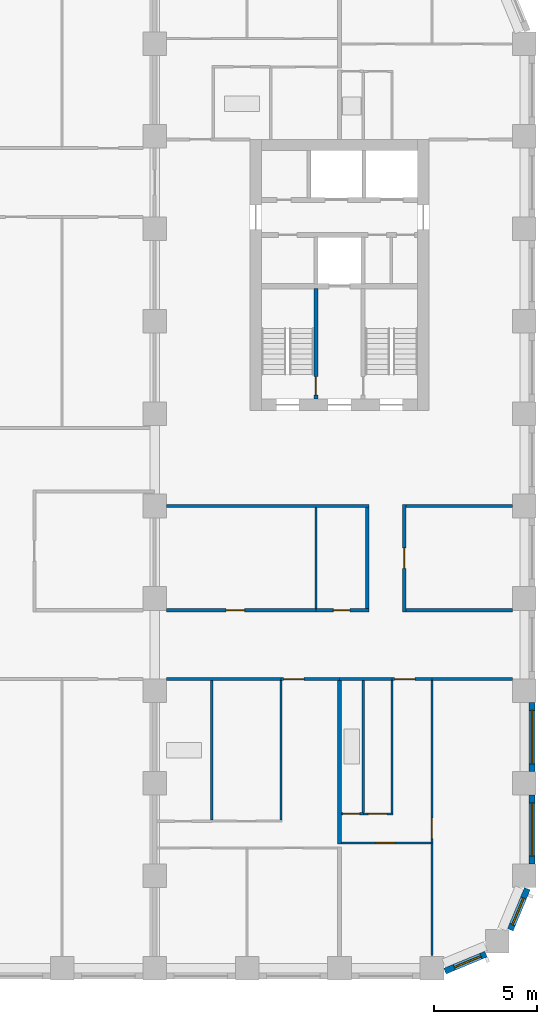
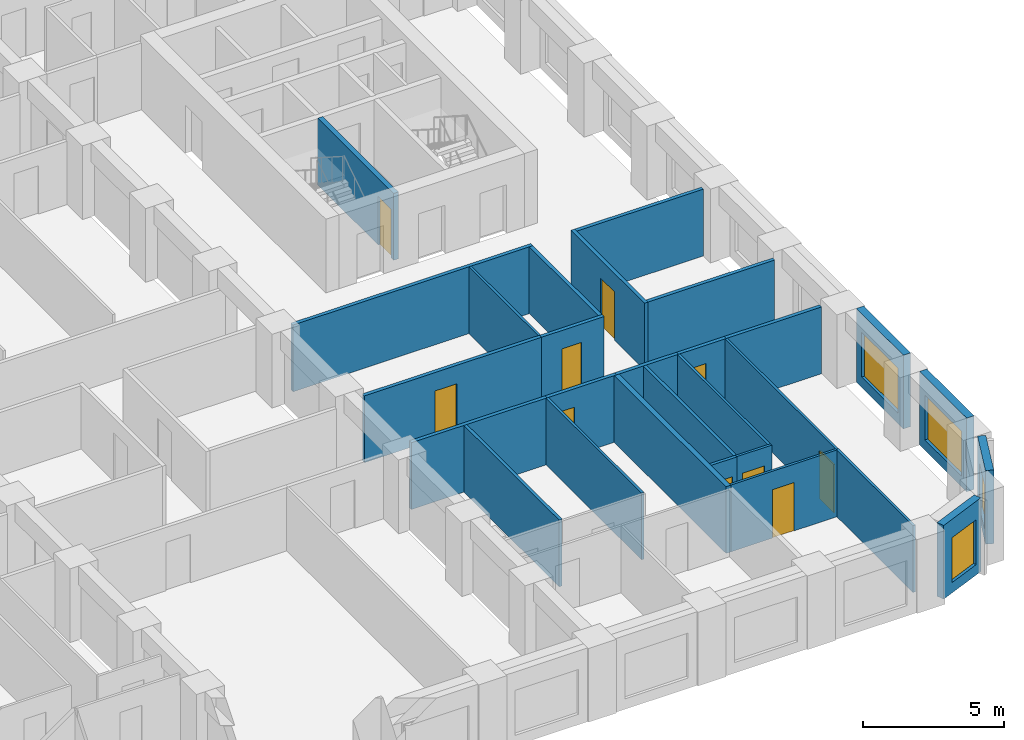
# One storey, part 5 of 13: 28 walls, 10 doors, 4 windows, 14 openings.
"""IFC4 building model written with IfcOpenShell, lengths in metres."""

from ifc_helpers import new_model, si_unit, direction, frame, frame_2d, origin, place, context, subcontext, project, spatial, rectangle, extrude, material, layer, layer_set, type_object, element, fill, save


model = new_model("IFC4")

# Units and contexts
model_context = context("Model", 3, precision=1e-05, world=origin(), true_north=direction((0.0, 1.0)))
body_context = subcontext(model_context, "Body", "Model", "MODEL_VIEW")
ifc_project = project(units=[si_unit("LENGTHUNIT", "METRE"), si_unit("AREAUNIT", "SQUARE_METRE"), si_unit("VOLUMEUNIT", "CUBIC_METRE"), si_unit("PLANEANGLEUNIT", "RADIAN"), si_unit("MASSUNIT", "GRAM", prefix="KILO")], contexts=[model_context])

# Site, building, storey
site_placement = place(None, origin())
site = spatial("IfcSite", under=ifc_project, at=site_placement, CompositionType="ELEMENT")
building_placement = place(site_placement, origin())
building = spatial("IfcBuilding", under=site, at=building_placement, Name="Girih Gate Residences", CompositionType="ELEMENT")
storey_placement = place(building_placement, frame((0.0, 0.0, 105.60009765625)))
storey = spatial("IfcBuildingStorey", under=building, at=storey_placement, Name="L29", CompositionType="ELEMENT", Elevation=105.60009765625)

# Wall
ifc_material_1 = material(Name="Gypsum board on steel studs", Category="steel")
ifc_layer_1 = layer(ifc_material_1, 0.14990234375)
ifc_layer_set_1 = layer_set([ifc_layer_1], Name="Compartment wall 150 mm")
wall_type_1 = type_object("IfcWallType", Name="Compartment wall 150 mm", PredefinedType="PARTITIONING", material=ifc_layer_set_1)
wall_1_placement = place(storey_placement, frame((40.5, 14.074951171875, 0.0), z_axis=(0.0, 0.0, 1.0), x_axis=(1.0, 0.0, 0.0)))
element("IfcWall", 1, at=wall_1_placement, inside=storey, type_object=wall_type_1, Name="L29 partition", PredefinedType="PARTITIONING", context=body_context, shape_type="SweptSolid", body=[
    extrude(rectangle(XDim=2.550048828125, YDim=0.14990234375, at=frame_2d((1.27490234375, 0.0))), origin(), (0.0, 0.0, 1.0), 2.89990234375),
])

# Wall, opening, door
wall_2_placement = place(storey_placement, frame((45.0, 14.074951171875, 0.0), z_axis=(0.0, 0.0, 1.0), x_axis=(-1.0, 0.0, 0.0)))
wall_2 = element("IfcWall", 2, at=wall_2_placement, inside=storey, type_object=wall_type_1, Name="L29 partition", PredefinedType="PARTITIONING", context=body_context, shape_type="SweptSolid", body=[
    extrude(rectangle(XDim=1.949951171875, YDim=0.14990234375, at=frame_2d((0.97509765625, 0.0))), origin(), (0.0, 0.0, 1.0), 2.89990234375),
])
opening_1_placement = place(wall_2_placement, frame((0.820068359375, 0.0, 0.0)))
opening_1 = element("IfcOpeningElement", 3, at=opening_1_placement, cuts=wall_2, Name="Opening A29-023", PredefinedType="OPENING", context=body_context, shape_type="SweptSolid", body=[
    extrude(rectangle(XDim=1.0, YDim=2.10009765625, at=frame_2d((0.5, 1.050048828125))), frame((0.0, 0.0849609375, 0.0), z_axis=(0.0, -1.0, 0.0), x_axis=(1.0, 0.0, 0.0)), (0.0, 0.0, 1.0), 0.169921875),
])
ifc_material_2 = material(Name="Timber, fire-rated core", Category="wood")
door_type_1 = type_object("IfcDoorType", Name="Flat entrance door 1000x2100 FD30S", OperationType="NOTDEFINED", PredefinedType="DOOR", material=ifc_material_2)
door_1_placement = place(opening_1_placement, origin())
door_1 = element("IfcDoor", 4, at=door_1_placement, inside=storey, type_object=door_type_1, Name="Door A29-023", OperationType="SINGLE_SWING_RIGHT", OverallHeight=2.10009765625, OverallWidth=1.0, PredefinedType="DOOR", context=body_context, shape_type="SweptSolid", body=[
    extrude(rectangle(XDim=1.0, YDim=2.10009765625, at=frame_2d((0.5, 1.050048828125))), frame((0.0, 0.02490234375, 0.0), z_axis=(0.0, -1.0, 0.0), x_axis=(1.0, 0.0, 0.0)), (0.0, 0.0, 1.0), 0.050048828125),
])
fill(opening_1, door_1)

# Walls
wall_3_placement = place(storey_placement, frame((45.0, 14.074951171875, 0.0), z_axis=(0.0, 0.0, 1.0), x_axis=(1.0, 0.0, 0.0)))
element("IfcWall", 5, at=wall_3_placement, inside=storey, type_object=wall_type_1, Name="L29 partition", PredefinedType="PARTITIONING", context=body_context, shape_type="SweptSolid", body=[
    extrude(rectangle(XDim=3.925048828125, YDim=0.14990234375, at=frame_2d((1.96240234375, 0.0))), origin(), (0.0, 0.0, 1.0), 2.89990234375),
])
wall_4_placement = place(storey_placement, frame((32.074951171875, 14.074951171875, 0.0), z_axis=(0.0, 0.0, 1.0), x_axis=(1.0, 0.0, 0.0)))
element("IfcWall", 6, at=wall_4_placement, inside=storey, type_object=wall_type_1, Name="L29 partition", PredefinedType="PARTITIONING", context=body_context, shape_type="SweptSolid", body=[
    extrude(rectangle(XDim=5.574951171875, YDim=0.14990234375, at=frame_2d((2.78759765625, 0.0))), origin(), (0.0, 0.0, 1.0), 2.89990234375),
])

# Wall, opening, door
wall_5_placement = place(storey_placement, frame((40.5, 14.074951171875, 0.0), z_axis=(0.0, 0.0, 1.0), x_axis=(-1.0, 0.0, 0.0)))
wall_5 = element("IfcWall", 7, at=wall_5_placement, inside=storey, type_object=wall_type_1, Name="L29 partition", PredefinedType="PARTITIONING", context=body_context, shape_type="SweptSolid", body=[
    extrude(rectangle(XDim=2.85009765625, YDim=0.14990234375, at=frame_2d((1.425048828125, 0.0))), origin(), (0.0, 0.0, 1.0), 2.89990234375),
])
opening_2_placement = place(wall_5_placement, frame((1.719970703125, 0.0, 0.0)))
opening_2 = element("IfcOpeningElement", 8, at=opening_2_placement, cuts=wall_5, Name="Opening A29-028", PredefinedType="OPENING", context=body_context, shape_type="SweptSolid", body=[
    extrude(rectangle(XDim=1.0, YDim=2.10009765625, at=frame_2d((0.5, 1.050048828125))), frame((0.0, 0.0849609375, 0.0), z_axis=(0.0, -1.0, 0.0), x_axis=(1.0, 0.0, 0.0)), (0.0, 0.0, 1.0), 0.169921875),
])
door_2_placement = place(opening_2_placement, origin())
door_2 = element("IfcDoor", 9, at=door_2_placement, inside=storey, type_object=door_type_1, Name="Door A29-028", OperationType="SINGLE_SWING_RIGHT", OverallHeight=2.10009765625, OverallWidth=1.0, PredefinedType="DOOR", context=body_context, shape_type="SweptSolid", body=[
    extrude(rectangle(XDim=1.0, YDim=2.10009765625, at=frame_2d((0.5, 1.050048828125))), frame((0.0, 0.02490234375, 0.0), z_axis=(0.0, -1.0, 0.0), x_axis=(1.0, 0.0, 0.0)), (0.0, 0.0, 1.0), 0.050048828125),
])
fill(opening_2, door_2)

wall_6_placement = place(storey_placement, frame((32.074951171875, 17.425048828125, 0.0), z_axis=(0.0, 0.0, 1.0), x_axis=(1.0, 0.0, 0.0)))
wall_6 = element("IfcWall", 10, at=wall_6_placement, inside=storey, type_object=wall_type_1, Name="L29 partition", PredefinedType="PARTITIONING", context=body_context, shape_type="SweptSolid", body=[
    extrude(rectangle(XDim=7.275146484375, YDim=0.14990234375, at=frame_2d((3.6376953125, 0.0))), origin(), (0.0, 0.0, 1.0), 2.89990234375),
])
opening_3_placement = place(wall_6_placement, frame((2.89990234375, 0.0, 0.0)))
opening_3 = element("IfcOpeningElement", 11, at=opening_3_placement, cuts=wall_6, Name="Opening A29-050", PredefinedType="OPENING", context=body_context, shape_type="SweptSolid", body=[
    extrude(rectangle(XDim=0.89990234375, YDim=2.10009765625, at=frame_2d((0.449951171875, 1.050048828125))), frame((0.0, 0.0849609375, 0.0), z_axis=(0.0, -1.0, 0.0), x_axis=(1.0, 0.0, 0.0)), (0.0, 0.0, 1.0), 0.169921875),
])
ifc_material_3 = material(Name="Timber", Category="wood")
door_type_2 = type_object("IfcDoorType", Name="Service room door 900x2100", OperationType="NOTDEFINED", PredefinedType="DOOR", material=ifc_material_3)
door_3_placement = place(opening_3_placement, origin())
door_3 = element("IfcDoor", 12, at=door_3_placement, inside=storey, type_object=door_type_2, Name="Door A29-050", OperationType="SINGLE_SWING_LEFT", OverallHeight=2.10009765625, OverallWidth=0.89990234375, PredefinedType="DOOR", context=body_context, shape_type="SweptSolid", body=[
    extrude(rectangle(XDim=0.89990234375, YDim=2.10009765625, at=frame_2d((0.449951171875, 1.050048828125))), frame((0.0, 0.02490234375, 0.0), z_axis=(0.0, -1.0, 0.0), x_axis=(1.0, 0.0, 0.0)), (0.0, 0.0, 1.0), 0.050048828125),
])
fill(opening_3, door_3)

wall_7_placement = place(storey_placement, frame((39.35009765625, 17.425048828125, 0.0), z_axis=(0.0, 0.0, 1.0), x_axis=(1.0, 0.0, 0.0)))
wall_7 = element("IfcWall", 13, at=wall_7_placement, inside=storey, type_object=wall_type_1, Name="L29 partition", PredefinedType="PARTITIONING", context=body_context, shape_type="SweptSolid", body=[
    extrude(rectangle(XDim=2.574951171875, YDim=0.14990234375, at=frame_2d((1.28759765625, 0.0))), origin(), (0.0, 0.0, 1.0), 2.89990234375),
])
opening_4_placement = place(wall_7_placement, frame((0.85009765625, 0.0, 0.0)))
opening_4 = element("IfcOpeningElement", 14, at=opening_4_placement, cuts=wall_7, Name="Opening A29-052", PredefinedType="OPENING", context=body_context, shape_type="SweptSolid", body=[
    extrude(rectangle(XDim=0.800048828125, YDim=2.10009765625, at=frame_2d((0.39990234375, 1.050048828125))), frame((0.0, 0.0849609375, 0.0), z_axis=(0.0, -1.0, 0.0), x_axis=(1.0, 0.0, 0.0)), (0.0, 0.0, 1.0), 0.169921875),
])
door_type_3 = type_object("IfcDoorType", Name="Bathroom door 800x2100", OperationType="NOTDEFINED", PredefinedType="DOOR", material=ifc_material_3)
door_4_placement = place(opening_4_placement, origin())
door_4 = element("IfcDoor", 15, at=door_4_placement, inside=storey, type_object=door_type_3, Name="Door A29-052", OperationType="SINGLE_SWING_LEFT", OverallHeight=2.10009765625, OverallWidth=0.800048828125, PredefinedType="DOOR", context=body_context, shape_type="SweptSolid", body=[
    extrude(rectangle(XDim=0.800048828125, YDim=2.10009765625, at=frame_2d((0.39990234375, 1.050048828125))), frame((0.0, 0.02490234375, 0.0), z_axis=(0.0, -1.0, 0.0), x_axis=(1.0, 0.0, 0.0)), (0.0, 0.0, 1.0), 0.050048828125),
])
fill(opening_4, door_4)

# Walls
wall_8_placement = place(storey_placement, frame((43.72509765625, 17.425048828125, 0.0), z_axis=(0.0, 0.0, 1.0), x_axis=(1.0, 0.0, 0.0)))
element("IfcWall", 16, at=wall_8_placement, inside=storey, type_object=wall_type_1, Name="L29 partition", PredefinedType="PARTITIONING", context=body_context, shape_type="SweptSolid", body=[
    extrude(rectangle(XDim=5.199951171875, YDim=0.14990234375, at=frame_2d((2.60009765625, 0.0))), origin(), (0.0, 0.0, 1.0), 2.89990234375),
])
wall_9_placement = place(storey_placement, frame((32.074951171875, 22.5, 0.0), z_axis=(0.0, 0.0, 1.0), x_axis=(1.0, 0.0, 0.0)))
element("IfcWall", 17, at=wall_9_placement, inside=storey, type_object=wall_type_1, Name="L29 partition", PredefinedType="PARTITIONING", context=body_context, shape_type="SweptSolid", body=[
    extrude(rectangle(XDim=9.85009765625, YDim=0.14990234375, at=frame_2d((4.925048828125, 0.0))), origin(), (0.0, 0.0, 1.0), 2.89990234375),
])
wall_10_placement = place(storey_placement, frame((43.72509765625, 22.5, 0.0), z_axis=(0.0, 0.0, 1.0), x_axis=(1.0, 0.0, 0.0)))
element("IfcWall", 18, at=wall_10_placement, inside=storey, type_object=wall_type_1, Name="L29 partition", PredefinedType="PARTITIONING", context=body_context, shape_type="SweptSolid", body=[
    extrude(rectangle(XDim=5.199951171875, YDim=0.14990234375, at=frame_2d((2.60009765625, 0.0))), origin(), (0.0, 0.0, 1.0), 2.89990234375),
])
wall_11_placement = place(storey_placement, frame((41.85009765625, 17.5, 0.0), z_axis=(0.0, 0.0, 1.0), x_axis=(0.0, 1.0, 0.0)))
element("IfcWall", 19, at=wall_11_placement, inside=storey, type_object=wall_type_1, Name="L29 partition", PredefinedType="PARTITIONING", context=body_context, shape_type="SweptSolid", body=[
    extrude(rectangle(XDim=4.925048828125, YDim=0.14990234375, at=frame_2d((2.46240234375, 0.0))), origin(), (0.0, 0.0, 1.0), 2.89990234375),
])

# Wall, opening, door
wall_12_placement = place(storey_placement, frame((43.64990234375, 22.574951171875, 0.0), z_axis=(0.0, 0.0, 1.0), x_axis=(0.0, -1.0, 0.0)))
wall_12 = element("IfcWall", 20, at=wall_12_placement, inside=storey, type_object=wall_type_1, Name="L29 partition", PredefinedType="PARTITIONING", context=body_context, shape_type="SweptSolid", body=[
    extrude(rectangle(XDim=5.224853515625, YDim=0.14990234375, at=frame_2d((2.6123046875, 0.0))), origin(), (0.0, 0.0, 1.0), 2.89990234375),
])
opening_5_placement = place(wall_12_placement, frame((2.112548828125, 0.0, 0.0)))
opening_5 = element("IfcOpeningElement", 21, at=opening_5_placement, cuts=wall_12, Name="Opening A29-054", PredefinedType="OPENING", context=body_context, shape_type="SweptSolid", body=[
    extrude(rectangle(XDim=1.0, YDim=2.10009765625, at=frame_2d((0.5, 1.050048828125))), frame((0.0, 0.0849609375, 0.0), z_axis=(0.0, -1.0, 0.0), x_axis=(1.0, 0.0, 0.0)), (0.0, 0.0, 1.0), 0.169921875),
])
door_type_4 = type_object("IfcDoorType", Name="Amenity room door 1000x2100 FD30S", OperationType="NOTDEFINED", PredefinedType="DOOR", material=ifc_material_2)
door_5_placement = place(opening_5_placement, origin())
door_5 = element("IfcDoor", 22, at=door_5_placement, inside=storey, type_object=door_type_4, Name="Door A29-054", OperationType="SINGLE_SWING_RIGHT", OverallHeight=2.10009765625, OverallWidth=1.0, PredefinedType="DOOR", context=body_context, shape_type="SweptSolid", body=[
    extrude(rectangle(XDim=1.0, YDim=2.10009765625, at=frame_2d((0.5, 1.050048828125))), frame((0.0, 0.02490234375, 0.0), z_axis=(0.0, -1.0, 0.0), x_axis=(1.0, 0.0, 0.0)), (0.0, 0.0, 1.0), 0.050048828125),
])
fill(opening_5, door_5)

ifc_layer_2 = layer(ifc_material_1, 0.10009765625)
ifc_layer_set_2 = layer_set([ifc_layer_2], Name="Partition 100 mm")
wall_type_2 = type_object("IfcWallType", Name="Partition 100 mm", PredefinedType="PARTITIONING", material=ifc_layer_set_2)
wall_13_placement = place(storey_placement, frame((44.949951171875, 6.094970703125, 0.0), z_axis=(0.0, 0.0, 1.0), x_axis=(-1.0, 0.0, 0.0)))
wall_13 = element("IfcWall", 23, at=wall_13_placement, inside=storey, type_object=wall_type_2, Name="L29 partition", PredefinedType="PARTITIONING", context=body_context, shape_type="SweptSolid", body=[
    extrude(rectangle(XDim=4.349853515625, YDim=0.10009765625, at=frame_2d((2.1748046875, 0.0))), origin(), (0.0, 0.0, 1.0), 2.89990234375),
])
opening_6_placement = place(wall_13_placement, frame((1.75, 0.0, 0.0)))
opening_6 = element("IfcOpeningElement", 24, at=opening_6_placement, cuts=wall_13, Name="Opening A29-020", PredefinedType="OPENING", context=body_context, shape_type="SweptSolid", body=[
    extrude(rectangle(XDim=0.89990234375, YDim=2.10009765625, at=frame_2d((0.449951171875, 1.050048828125))), frame((0.0, 0.06005859375, 0.0), z_axis=(0.0, -1.0, 0.0), x_axis=(1.0, 0.0, 0.0)), (0.0, 0.0, 1.0), 0.1201171875),
])
door_type_5 = type_object("IfcDoorType", Name="Bedroom door 900x2100", OperationType="NOTDEFINED", PredefinedType="DOOR", material=ifc_material_3)
door_6_placement = place(opening_6_placement, origin())
door_6 = element("IfcDoor", 25, at=door_6_placement, inside=storey, type_object=door_type_5, Name="Door A29-020", OperationType="SINGLE_SWING_RIGHT", OverallHeight=2.10009765625, OverallWidth=0.89990234375, PredefinedType="DOOR", context=body_context, shape_type="SweptSolid", body=[
    extrude(rectangle(XDim=0.89990234375, YDim=2.10009765625, at=frame_2d((0.449951171875, 1.050048828125))), frame((0.0, 0.02490234375, 0.0), z_axis=(0.0, -1.0, 0.0), x_axis=(1.0, 0.0, 0.0)), (0.0, 0.0, 1.0), 0.050048828125),
])
fill(opening_6, door_6)

# Wall
wall_14_placement = place(storey_placement, frame((45.0, 0.622314453125, 0.0), z_axis=(0.0, 0.0, 1.0), x_axis=(0.0, 1.0, 0.0)))
element("IfcWall", 26, at=wall_14_placement, inside=storey, type_object=wall_type_2, Name="L29 partition", PredefinedType="PARTITIONING", context=body_context, shape_type="SweptSolid", body=[
    extrude(rectangle(XDim=5.47265625, YDim=0.10009765625, at=frame_2d((2.736328125, 0.0))), origin(), (0.0, 0.0, 1.0), 2.89990234375),
])

# Wall, opening, door
wall_15_placement = place(storey_placement, frame((41.6591796875, 7.514892578125, 0.0), z_axis=(0.0, 0.0, 1.0), x_axis=(1.0, 0.0, 0.0)))
wall_15 = element("IfcWall", 27, at=wall_15_placement, inside=storey, type_object=wall_type_2, Name="L29 partition", PredefinedType="PARTITIONING", context=body_context, shape_type="SweptSolid", body=[
    extrude(rectangle(XDim=1.44091796875, YDim=0.10009765625, at=frame_2d((0.720458984375, 0.0))), origin(), (0.0, 0.0, 1.0), 2.89990234375),
])
opening_7_placement = place(wall_15_placement, frame((0.24560546875, 0.0, 0.0)))
opening_7 = element("IfcOpeningElement", 28, at=opening_7_placement, cuts=wall_15, Name="Opening A29-021", PredefinedType="OPENING", context=body_context, shape_type="SweptSolid", body=[
    extrude(rectangle(XDim=0.89990234375, YDim=2.10009765625, at=frame_2d((0.449951171875, 1.050048828125))), frame((0.0, 0.06005859375, 0.0), z_axis=(0.0, -1.0, 0.0), x_axis=(1.0, 0.0, 0.0)), (0.0, 0.0, 1.0), 0.1201171875),
])
door_type_6 = type_object("IfcDoorType", Name="Kitchen door 900x2100", OperationType="NOTDEFINED", PredefinedType="DOOR", material=ifc_material_3)
door_7_placement = place(opening_7_placement, origin())
door_7 = element("IfcDoor", 29, at=door_7_placement, inside=storey, type_object=door_type_6, Name="Door A29-021", OperationType="SINGLE_SWING_LEFT", OverallHeight=2.10009765625, OverallWidth=0.89990234375, PredefinedType="DOOR", context=body_context, shape_type="SweptSolid", body=[
    extrude(rectangle(XDim=0.89990234375, YDim=2.10009765625, at=frame_2d((0.449951171875, 1.050048828125))), frame((0.0, 0.02490234375, 0.0), z_axis=(0.0, -1.0, 0.0), x_axis=(1.0, 0.0, 0.0)), (0.0, 0.0, 1.0), 0.050048828125),
])
fill(opening_7, door_7)

# Wall
wall_16_placement = place(storey_placement, frame((43.050048828125, 7.56494140625, 0.0), z_axis=(0.0, 0.0, 1.0), x_axis=(0.0, 1.0, 0.0)))
element("IfcWall", 30, at=wall_16_placement, inside=storey, type_object=wall_type_2, Name="L29 partition", PredefinedType="PARTITIONING", context=body_context, shape_type="SweptSolid", body=[
    extrude(rectangle(XDim=6.43505859375, YDim=0.10009765625, at=frame_2d((3.217529296875, 0.0))), origin(), (0.0, 0.0, 1.0), 2.89990234375),
])

# Wall, opening, door
wall_17_placement = place(storey_placement, frame((45.0, 14.0, 0.0), z_axis=(0.0, 0.0, 1.0), x_axis=(0.0, -1.0, 0.0)))
wall_17 = element("IfcWall", 31, at=wall_17_placement, inside=storey, type_object=wall_type_2, Name="L29 partition", PredefinedType="PARTITIONING", context=body_context, shape_type="SweptSolid", body=[
    extrude(rectangle(XDim=7.905029296875, YDim=0.10009765625, at=frame_2d((3.95263671875, 0.0))), origin(), (0.0, 0.0, 1.0), 2.89990234375),
])
opening_8_placement = place(wall_17_placement, frame((6.695068359375, 0.0, 0.0)))
opening_8 = element("IfcOpeningElement", 32, at=opening_8_placement, cuts=wall_17, Name="Opening A29-022", PredefinedType="OPENING", context=body_context, shape_type="SweptSolid", body=[
    extrude(rectangle(XDim=1.0, YDim=2.10009765625, at=frame_2d((0.5, 1.050048828125))), frame((0.0, 0.06005859375, 0.0), z_axis=(0.0, -1.0, 0.0), x_axis=(1.0, 0.0, 0.0)), (0.0, 0.0, 1.0), 0.1201171875),
])
door_type_7 = type_object("IfcDoorType", Name="Living room door 1000x2100", OperationType="NOTDEFINED", PredefinedType="DOOR", material=ifc_material_3)
door_8_placement = place(opening_8_placement, origin())
door_8 = element("IfcDoor", 33, at=door_8_placement, inside=storey, type_object=door_type_7, Name="Door A29-022", OperationType="SINGLE_SWING_RIGHT", OverallHeight=2.10009765625, OverallWidth=1.0, PredefinedType="DOOR", context=body_context, shape_type="SweptSolid", body=[
    extrude(rectangle(XDim=1.0, YDim=2.10009765625, at=frame_2d((0.5, 1.050048828125))), frame((0.0, 0.02490234375, 0.0), z_axis=(0.0, -1.0, 0.0), x_axis=(1.0, 0.0, 0.0)), (0.0, 0.0, 1.0), 0.050048828125),
])
fill(opening_8, door_8)

# Walls
wall_18_placement = place(storey_placement, frame((37.64990234375, 7.205078125, 0.0), z_axis=(0.0, 0.0, 1.0), x_axis=(0.0, 1.0, 0.0)))
element("IfcWall", 34, at=wall_18_placement, inside=storey, type_object=wall_type_2, Name="L29 partition", PredefinedType="PARTITIONING", context=body_context, shape_type="SweptSolid", body=[
    extrude(rectangle(XDim=6.794921875, YDim=0.10009765625, at=frame_2d((3.3974609375, 0.0))), origin(), (0.0, 0.0, 1.0), 2.89990234375),
])
wall_19_placement = place(storey_placement, frame((39.35009765625, 17.5, 0.0), z_axis=(0.0, 0.0, 1.0), x_axis=(0.0, 1.0, 0.0)))
element("IfcWall", 35, at=wall_19_placement, inside=storey, type_object=wall_type_2, Name="L29 partition", PredefinedType="PARTITIONING", context=body_context, shape_type="SweptSolid", body=[
    extrude(rectangle(XDim=4.925048828125, YDim=0.10009765625, at=frame_2d((2.46240234375, 0.0))), origin(), (0.0, 0.0, 1.0), 2.89990234375),
])
ifc_layer_3 = layer(ifc_material_1, 0.199951171875)
ifc_layer_set_3 = layer_set([ifc_layer_3], Name="Party wall 200 mm")
wall_type_3 = type_object("IfcWallType", Name="Party wall 200 mm", PredefinedType="PARTITIONING", material=ifc_layer_set_3)
wall_20_placement = place(storey_placement, frame((40.5, 6.044921875, 0.0), z_axis=(0.0, 0.0, 1.0), x_axis=(0.0, 1.0, 0.0)))
element("IfcWall", 36, at=wall_20_placement, inside=storey, type_object=wall_type_3, Name="L29 partition", PredefinedType="PARTITIONING", context=body_context, shape_type="SweptSolid", body=[
    extrude(rectangle(XDim=7.955078125, YDim=0.199951171875, at=frame_2d((3.9775390625, 0.0))), origin(), (0.0, 0.0, 1.0), 2.89990234375),
])

# Wall, opening, window
ifc_material_4 = material(Name="Precast concrete C50/60", Category="concrete")
ifc_layer_4 = layer(ifc_material_4, 0.080078125, Name="Outer leaf")
ifc_material_5 = material(Name="Rigid PIR insulation")
ifc_layer_5 = layer(ifc_material_5, 0.14990234375, Name="Insulation")
ifc_material_6 = material(Name="Precast concrete C40/50", Category="concrete")
ifc_layer_6 = layer(ifc_material_6, 0.070068359375, Name="Inner leaf")
ifc_layer_set_4 = layer_set([ifc_layer_4, ifc_layer_5, ifc_layer_6], Name="Precast concrete C50/60 external wall 300")
wall_type_4 = type_object("IfcWallType", Name="Precast concrete C50/60 external wall 300", PredefinedType="SOLIDWALL", material=ifc_layer_set_4)
wall_21_placement = place(storey_placement, frame((47.63134765625, 0.68408203125, 0.0), z_axis=(0.0, 0.0, 1.0), x_axis=(-0.923862802911, -0.382723818695, 0.0)))
wall_21 = element("IfcWall", 37, at=wall_21_placement, inside=storey, type_object=wall_type_4, Name="External wall SE0450_0000.0", PredefinedType="SOLIDWALL", context=body_context, shape_type="SweptSolid", body=[
    extrude(rectangle(XDim=2.163818359375, YDim=0.300048828125, at=frame_2d((1.08203125, 0.0))), origin(), (0.0, 0.0, 1.0), 3.199951171875),
])
opening_9_placement = place(wall_21_placement, frame((0.270751953125, 0.0, 0.449951171875)))
opening_9 = element("IfcOpeningElement", 38, at=opening_9_placement, cuts=wall_21, Name="Opening W-2D", PredefinedType="OPENING", context=body_context, shape_type="SweptSolid", body=[
    extrude(rectangle(XDim=1.39990234375, YDim=1.949951171875, at=frame_2d((0.699951171875, 0.97509765625))), frame((0.0, 0.159912109375, 0.0), z_axis=(0.0, -1.0, 0.0), x_axis=(1.0, 0.0, 0.0)), (0.0, 0.0, 1.0), 0.320068359375),
])
ifc_material_7 = material(Name="Double glazing in aluminium frame", Category="aluminium")
window_type_1 = type_object("IfcWindowType", Name="Window W-2D 1400x1950", PartitioningType="SINGLE_PANEL", PredefinedType="WINDOW", material=ifc_material_7)
window_1_placement = place(opening_9_placement, origin())
window_1 = element("IfcWindow", 39, at=window_1_placement, inside=storey, type_object=window_type_1, Name="Window W-2D SE0450_0000.0", OverallHeight=1.949951171875, OverallWidth=1.39990234375, PartitioningType="SINGLE_PANEL", PredefinedType="WINDOW", context=body_context, shape_type="SweptSolid", body=[
    extrude(rectangle(XDim=1.39990234375, YDim=1.949951171875, at=frame_2d((0.699951171875, 0.97509765625))), frame((0.0, 0.030029296875, 0.0), z_axis=(0.0, -1.0, 0.0), x_axis=(1.0, 0.0, 0.0)), (0.0, 0.0, 1.0), 0.06005859375),
])
fill(opening_9, window_1)

wall_22_placement = place(storey_placement, frame((49.64404296875, 3.86767578125, 0.0), z_axis=(0.0, 0.0, 1.0), x_axis=(-0.382723818695, -0.923862802911, 0.0)))
wall_22 = element("IfcWall", 40, at=wall_22_placement, inside=storey, type_object=wall_type_4, Name="External wall SE0482_0013.0", PredefinedType="SOLIDWALL", context=body_context, shape_type="SweptSolid", body=[
    extrude(rectangle(XDim=2.163818359375, YDim=0.300048828125, at=frame_2d((1.08203125, 0.0))), origin(), (0.0, 0.0, 1.0), 3.199951171875),
])
opening_10_placement = place(wall_22_placement, frame((0.492919921875, 0.0, 0.449951171875)))
opening_10 = element("IfcOpeningElement", 41, at=opening_10_placement, cuts=wall_22, Name="Opening W-2D", PredefinedType="OPENING", context=body_context, shape_type="SweptSolid", body=[
    extrude(rectangle(XDim=1.39990234375, YDim=1.949951171875, at=frame_2d((0.699951171875, 0.97509765625))), frame((0.0, 0.159912109375, 0.0), z_axis=(0.0, -1.0, 0.0), x_axis=(1.0, 0.0, 0.0)), (0.0, 0.0, 1.0), 0.320068359375),
])
window_2_placement = place(opening_10_placement, origin())
window_2 = element("IfcWindow", 42, at=window_2_placement, inside=storey, type_object=window_type_1, Name="Window W-2D SE0482_0013.0", OverallHeight=1.949951171875, OverallWidth=1.39990234375, PartitioningType="SINGLE_PANEL", PredefinedType="WINDOW", context=body_context, shape_type="SweptSolid", body=[
    extrude(rectangle(XDim=1.39990234375, YDim=1.949951171875, at=frame_2d((0.699951171875, 0.97509765625))), frame((0.0, 0.030029296875, 0.0), z_axis=(0.0, -1.0, 0.0), x_axis=(1.0, 0.0, 0.0)), (0.0, 0.0, 1.0), 0.06005859375),
])
fill(opening_10, window_2)

wall_23_placement = place(storey_placement, frame((49.875, 8.425048828125, 0.0), z_axis=(0.0, 0.0, 1.0), x_axis=(0.0, -1.0, 0.0)))
wall_23 = element("IfcWall", 43, at=wall_23_placement, inside=storey, type_object=wall_type_4, Name="External wall E0495_0045.0", PredefinedType="SOLIDWALL", context=body_context, shape_type="SweptSolid", body=[
    extrude(rectangle(XDim=3.35009765625, YDim=0.300048828125, at=frame_2d((1.675048828125, 0.0))), origin(), (0.0, 0.0, 1.0), 3.199951171875),
])
opening_11_placement = place(wall_23_placement, frame((0.375, 0.0, 0.449951171875)))
opening_11 = element("IfcOpeningElement", 44, at=opening_11_placement, cuts=wall_23, Name="Opening W-1A", PredefinedType="OPENING", context=body_context, shape_type="SweptSolid", body=[
    extrude(rectangle(XDim=2.60009765625, YDim=1.949951171875, at=frame_2d((1.300048828125, 0.97509765625))), frame((0.0, 0.159912109375, 0.0), z_axis=(0.0, -1.0, 0.0), x_axis=(1.0, 0.0, 0.0)), (0.0, 0.0, 1.0), 0.320068359375),
])
window_type_2 = type_object("IfcWindowType", Name="Window W-1A 2600x1950", PartitioningType="SINGLE_PANEL", PredefinedType="WINDOW", material=ifc_material_7)
window_3_placement = place(opening_11_placement, origin())
window_3 = element("IfcWindow", 45, at=window_3_placement, inside=storey, type_object=window_type_2, Name="Window W-1A E0495_0045.0", OverallHeight=1.949951171875, OverallWidth=2.60009765625, PartitioningType="SINGLE_PANEL", PredefinedType="WINDOW", context=body_context, shape_type="SweptSolid", body=[
    extrude(rectangle(XDim=2.60009765625, YDim=1.949951171875, at=frame_2d((1.300048828125, 0.97509765625))), frame((0.0, 0.030029296875, 0.0), z_axis=(0.0, -1.0, 0.0), x_axis=(1.0, 0.0, 0.0)), (0.0, 0.0, 1.0), 0.06005859375),
])
fill(opening_11, window_3)

wall_24_placement = place(storey_placement, frame((49.875, 12.925048828125, 0.0), z_axis=(0.0, 0.0, 1.0), x_axis=(0.0, -1.0, 0.0)))
wall_24 = element("IfcWall", 46, at=wall_24_placement, inside=storey, type_object=wall_type_4, Name="External wall E0495_0045.1", PredefinedType="SOLIDWALL", context=body_context, shape_type="SweptSolid", body=[
    extrude(rectangle(XDim=3.35009765625, YDim=0.300048828125, at=frame_2d((1.675048828125, 0.0))), origin(), (0.0, 0.0, 1.0), 3.199951171875),
])
opening_12_placement = place(wall_24_placement, frame((0.375, 0.0, 0.449951171875)))
opening_12 = element("IfcOpeningElement", 47, at=opening_12_placement, cuts=wall_24, Name="Opening W-1A", PredefinedType="OPENING", context=body_context, shape_type="SweptSolid", body=[
    extrude(rectangle(XDim=2.60009765625, YDim=1.949951171875, at=frame_2d((1.300048828125, 0.97509765625))), frame((0.0, 0.159912109375, 0.0), z_axis=(0.0, -1.0, 0.0), x_axis=(1.0, 0.0, 0.0)), (0.0, 0.0, 1.0), 0.320068359375),
])
window_4_placement = place(opening_12_placement, origin())
window_4 = element("IfcWindow", 48, at=window_4_placement, inside=storey, type_object=window_type_2, Name="Window W-1A E0495_0045.1", OverallHeight=1.949951171875, OverallWidth=2.60009765625, PartitioningType="SINGLE_PANEL", PredefinedType="WINDOW", context=body_context, shape_type="SweptSolid", body=[
    extrude(rectangle(XDim=2.60009765625, YDim=1.949951171875, at=frame_2d((1.300048828125, 0.97509765625))), frame((0.0, 0.030029296875, 0.0), z_axis=(0.0, -1.0, 0.0), x_axis=(1.0, 0.0, 0.0)), (0.0, 0.0, 1.0), 0.06005859375),
])
fill(opening_12, window_4)

# Wall, opening, door
ifc_material_8 = material(Name="Concrete C40/50", Category="concrete")
ifc_layer_7 = layer(ifc_material_8, 0.199951171875)
ifc_layer_set_5 = layer_set([ifc_layer_7], Name="Shaft wall 200")
wall_type_5 = type_object("IfcWallType", Name="Shaft wall 200", PredefinedType="SOLIDWALL", material=ifc_layer_set_5)
wall_25_placement = place(storey_placement, frame((39.35009765625, 27.699951171875, 0.0), z_axis=(0.0, 0.0, 1.0), x_axis=(0.0, 1.0, 0.0)))
wall_25 = element("IfcWall", 49, at=wall_25_placement, inside=storey, type_object=wall_type_5, Name="L29 E core wall V2a", PredefinedType="SOLIDWALL", context=body_context, shape_type="SweptSolid", body=[
    extrude(rectangle(XDim=5.400146484375, YDim=0.199951171875, at=frame_2d((2.7001953125, 0.0))), origin(), (0.0, 0.0, 1.0), 2.89990234375),
])
opening_13_placement = place(wall_25_placement, frame((0.199951171875, 0.0, 0.0)))
opening_13 = element("IfcOpeningElement", 50, at=opening_13_placement, cuts=wall_25, Name="Opening D-L29-E-002", PredefinedType="OPENING", context=body_context, shape_type="SweptSolid", body=[
    extrude(rectangle(XDim=0.89990234375, YDim=2.10009765625, at=frame_2d((0.449951171875, 1.050048828125))), frame((0.0, 0.10986328125, 0.0), z_axis=(0.0, -1.0, 0.0), x_axis=(1.0, 0.0, 0.0)), (0.0, 0.0, 1.0), 0.219970703125),
])
ifc_material_9 = material(Name="Painted steel, fire-resisting", Category="steel")
door_type_8 = type_object("IfcDoorType", Name="Fire door 900x2100", OperationType="SINGLE_SWING_LEFT", PredefinedType="DOOR", material=ifc_material_9)
door_9_placement = place(opening_13_placement, origin())
door_9 = element("IfcDoor", 51, at=door_9_placement, inside=storey, type_object=door_type_8, Name="L29 E door stair 2 to firefighting lobby", OperationType="SINGLE_SWING_LEFT", OverallHeight=2.10009765625, OverallWidth=0.89990234375, PredefinedType="DOOR", context=body_context, shape_type="SweptSolid", body=[
    extrude(rectangle(XDim=0.89990234375, YDim=2.10009765625, at=frame_2d((0.449951171875, 1.050048828125))), frame((0.0, 0.02490234375, 0.0), z_axis=(0.0, -1.0, 0.0), x_axis=(1.0, 0.0, 0.0)), (0.0, 0.0, 1.0), 0.050048828125),
])
fill(opening_13, door_9)

ifc_layer_8 = layer(ifc_material_1, 0.125)
ifc_layer_set_6 = layer_set([ifc_layer_8], Name="Wet room wall 125 mm")
wall_type_6 = type_object("IfcWallType", Name="Wet room wall 125 mm", PredefinedType="PARTITIONING", material=ifc_layer_set_6)
wall_26_placement = place(storey_placement, frame((40.60009765625, 7.514892578125, 0.0), z_axis=(0.0, 0.0, 1.0), x_axis=(1.0, 0.0, 0.0)))
wall_26 = element("IfcWall", 52, at=wall_26_placement, inside=storey, type_object=wall_type_6, Name="L29 partition", PredefinedType="PARTITIONING", context=body_context, shape_type="SweptSolid", body=[
    extrude(rectangle(XDim=1.05908203125, YDim=0.125, at=frame_2d((0.529541015625, 0.0))), origin(), (0.0, 0.0, 1.0), 2.89990234375),
])
opening_14_placement = place(wall_26_placement, frame((0.07958984375, 0.0, 0.0)))
opening_14 = element("IfcOpeningElement", 53, at=opening_14_placement, cuts=wall_26, Name="Opening A29-019", PredefinedType="OPENING", context=body_context, shape_type="SweptSolid", body=[
    extrude(rectangle(XDim=0.800048828125, YDim=2.10009765625, at=frame_2d((0.39990234375, 1.050048828125))), frame((0.0, 0.072509765625, 0.0), z_axis=(0.0, -1.0, 0.0), x_axis=(1.0, 0.0, 0.0)), (0.0, 0.0, 1.0), 0.14501953125),
])
door_10_placement = place(opening_14_placement, origin())
door_10 = element("IfcDoor", 54, at=door_10_placement, inside=storey, type_object=door_type_3, Name="Door A29-019", OperationType="SINGLE_SWING_LEFT", OverallHeight=2.10009765625, OverallWidth=0.800048828125, PredefinedType="DOOR", context=body_context, shape_type="SweptSolid", body=[
    extrude(rectangle(XDim=0.800048828125, YDim=2.10009765625, at=frame_2d((0.39990234375, 1.050048828125))), frame((0.0, 0.02490234375, 0.0), z_axis=(0.0, -1.0, 0.0), x_axis=(1.0, 0.0, 0.0)), (0.0, 0.0, 1.0), 0.050048828125),
])
fill(opening_14, door_10)

# Walls
wall_27_placement = place(storey_placement, frame((41.658935546875, 7.577392578125, 0.0), z_axis=(0.0, 0.0, 1.0), x_axis=(0.0, 1.0, 0.0)))
element("IfcWall", 55, at=wall_27_placement, inside=storey, type_object=wall_type_6, Name="L29 partition", PredefinedType="PARTITIONING", context=body_context, shape_type="SweptSolid", body=[
    extrude(rectangle(XDim=6.422607421875, YDim=0.125, at=frame_2d((3.21142578125, 0.0))), origin(), (0.0, 0.0, 1.0), 2.89990234375),
])
wall_28_placement = place(storey_placement, frame((34.287109375, 7.217529296875, 0.0), z_axis=(0.0, 0.0, 1.0), x_axis=(0.0, 1.0, 0.0)))
element("IfcWall", 56, at=wall_28_placement, inside=storey, type_object=wall_type_6, Name="L29 partition", PredefinedType="PARTITIONING", context=body_context, shape_type="SweptSolid", body=[
    extrude(rectangle(XDim=6.782470703125, YDim=0.125, at=frame_2d((3.39111328125, 0.0))), origin(), (0.0, 0.0, 1.0), 2.89990234375),
])

save(model, "model.ifc")
